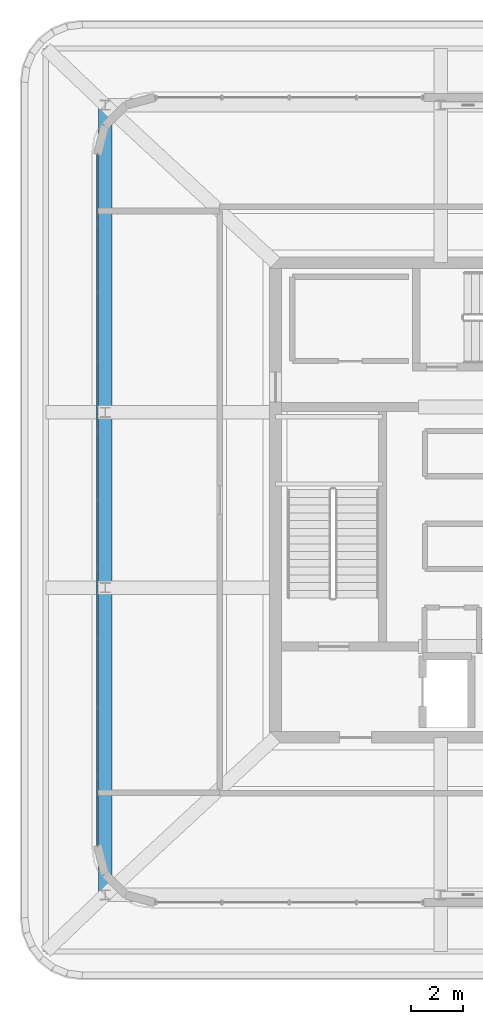
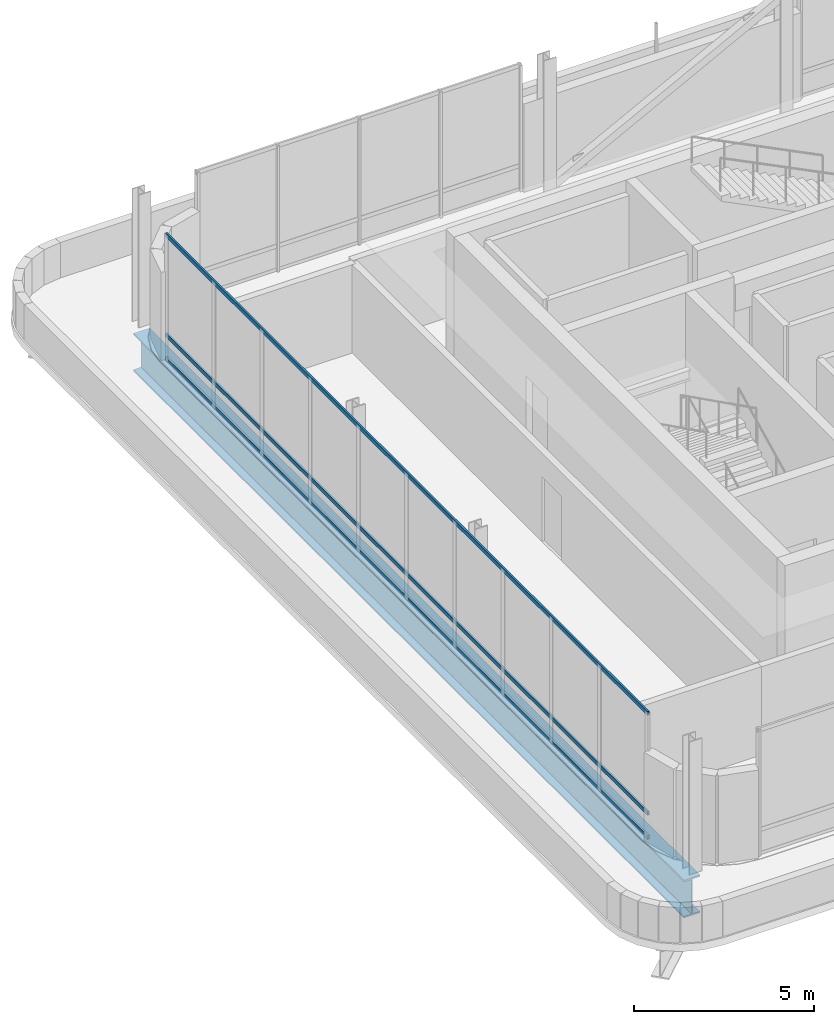
# One storey, part 8 of 28: 3 members, 1 beam, 1 element without a shape of its own.
"""IFC4 building model written with IfcOpenShell, lengths in metres."""

from ifc_helpers import new_model, si_unit, direction, frame, origin, origin_2d, place, context, subcontext, project, spatial, hollow_rectangle, i_section, extrude, material, material_profile, profile_set, type_object, element, aggregate, save


model = new_model("IFC4")

# Units and contexts
model_context = context("Model", 3, precision=1e-05, world=origin(), true_north=direction((0.0, 1.0)))
body_context = subcontext(model_context, "Body", "Model", "MODEL_VIEW")
ifc_project = project(units=[si_unit("LENGTHUNIT", "METRE"), si_unit("AREAUNIT", "SQUARE_METRE"), si_unit("VOLUMEUNIT", "CUBIC_METRE"), si_unit("PLANEANGLEUNIT", "RADIAN"), si_unit("MASSUNIT", "GRAM", prefix="KILO")], contexts=[model_context])

# Site, building, storey
site_placement = place(None, origin())
site = spatial("IfcSite", under=ifc_project, at=site_placement, CompositionType="ELEMENT")
building_placement = place(site_placement, origin())
building = spatial("IfcBuilding", under=site, at=building_placement, Name="Punatoya Terracotta Tower", CompositionType="ELEMENT")
storey_placement = place(building_placement, frame((0.0, 0.0, 352.800048828125)))
storey = spatial("IfcBuildingStorey", under=building, at=storey_placement, Name="L83", CompositionType="ELEMENT", Elevation=352.800048828125)

# Beam
ifc_material_1 = material(Name="Steel S460", Category="steel")
ifc_material_profile_1 = material_profile(ifc_material_1, i_section(OverallWidth=0.52001953125, OverallDepth=1.280029296875, WebThickness=0.031982421875, FlangeThickness=0.050048828125, FilletRadius=0.01806640625, at=origin_2d()))
ifc_profile_set_1 = profile_set([ifc_material_profile_1], Name="Steel S460")
beam_type = type_object("IfcBeamType", Name="BM-TG-NCK", PredefinedType="BEAM", material=ifc_profile_set_1)
beam_placement = place(storey_placement, frame((-16.800048828125, -15.300048828125, -0.920166015625), z_axis=(0.0, 1.0, 0.0), x_axis=(-1.0, 0.0, 0.0)))
element("IfcBeam", 1, at=beam_placement, inside=storey, type_object=beam_type, Name="BM-L83-RW", PredefinedType="BEAM", context=body_context, shape_type="SweptSolid", body=[
    extrude(i_section(OverallWidth=0.52001953125, OverallDepth=1.280029296875, WebThickness=0.031982421875, FlangeThickness=0.050048828125, FilletRadius=0.01806640625, at=origin_2d()), origin(), (0.0, 0.0, 1.0), 30.60009765625),
])

# Curtain wall, members
ifc_material_2 = material(Name="Aluminium 6063-T6 + Double Low-E Glass", Category="aluminium")
curtain_wall_type = type_object("IfcCurtainWallType", Name="CW-CRN", PredefinedType="NOTDEFINED", material=ifc_material_2)
curtain_wall_placement = place(storey_placement, origin())
curtain_wall = element("IfcCurtainWall", 2, at=curtain_wall_placement, inside=storey, type_object=curtain_wall_type, Name="L83 Curtain Wall CW-L83-W13-1", PredefinedType="NOTDEFINED")
ifc_material_3 = material(Name="Aluminium 6063-T6", Category="aluminium")
ifc_material_profile_2 = material_profile(ifc_material_3, hollow_rectangle(XDim=0.06201171875, YDim=0.135009765625, WallThickness=0.00390625, at=origin_2d()))
ifc_profile_set_2 = profile_set([ifc_material_profile_2], Name="Aluminium 6063-T6")
member_type = type_object("IfcMemberType", Name="CW-TRN-CRN", PredefinedType="USERDEFINED", material=ifc_profile_set_2)
member_1_placement = place(storey_placement, frame((-17.10009765625, 13.386962890625, 0.0400390625), z_axis=(0.0, -1.0, 0.0), x_axis=(1.0, 0.0, 0.0)))
member_1 = element("IfcMember", 3, at=member_1_placement, type_object=member_type, Name="CW-L83-W13-1 Transom 1", ObjectType="TRANSOM", PredefinedType="USERDEFINED", context=body_context, shape_type="SweptSolid", body=[
    extrude(hollow_rectangle(XDim=0.06201171875, YDim=0.135009765625, WallThickness=0.00390625, at=origin_2d()), origin(), (0.0, 0.0, 1.0), 26.77392578125),
])
member_2_placement = place(storey_placement, frame((-17.10009765625, 13.386962890625, 0.849853515625), z_axis=(0.0, -1.0, 0.0), x_axis=(1.0, 0.0, 0.0)))
member_2 = element("IfcMember", 4, at=member_2_placement, type_object=member_type, Name="CW-L83-W13-1 Transom 2", ObjectType="TRANSOM", PredefinedType="USERDEFINED", context=body_context, shape_type="SweptSolid", body=[
    extrude(hollow_rectangle(XDim=0.06201171875, YDim=0.135009765625, WallThickness=0.00390625, at=origin_2d()), origin(), (0.0, 0.0, 1.0), 26.77392578125),
])
member_3_placement = place(storey_placement, frame((-17.10009765625, 13.386962890625, 4.239990234375), z_axis=(0.0, -1.0, 0.0), x_axis=(1.0, 0.0, 0.0)))
member_3 = element("IfcMember", 5, at=member_3_placement, type_object=member_type, Name="CW-L83-W13-1 Transom 3", ObjectType="TRANSOM", PredefinedType="USERDEFINED", context=body_context, shape_type="SweptSolid", body=[
    extrude(hollow_rectangle(XDim=0.06201171875, YDim=0.135009765625, WallThickness=0.00390625, at=origin_2d()), origin(), (0.0, 0.0, 1.0), 26.77392578125),
])
aggregate(curtain_wall, [member_1, member_2, member_3])

save(model, "model.ifc")
